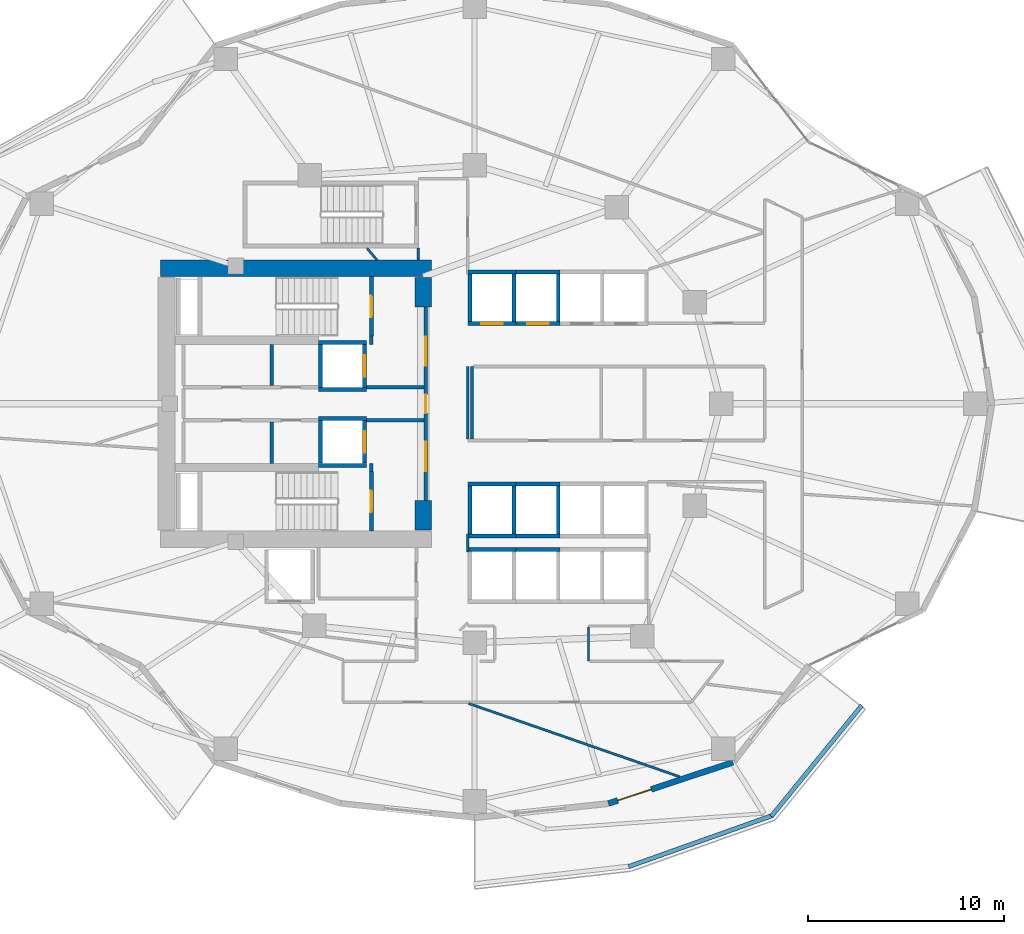
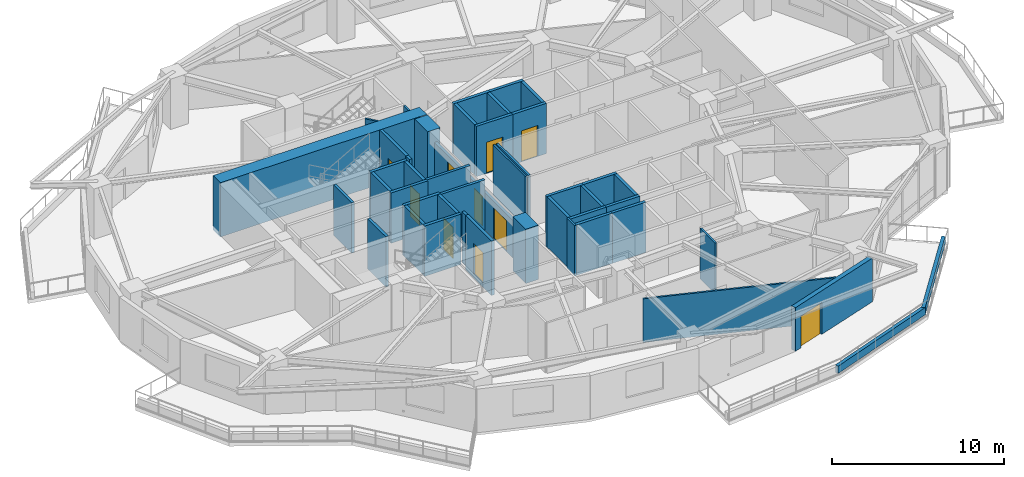
# One storey, part 7 of 13: 46 walls, 10 doors, 10 openings.
"""IFC4 building model written with IfcOpenShell, lengths in metres."""

from ifc_helpers import new_model, si_unit, direction, frame, frame_2d, origin, place, context, subcontext, project, spatial, rectangle, extrude, material, layer, layer_set, type_object, element, fill, save


model = new_model("IFC4")

# Units and contexts
model_context = context("Model", 3, precision=1e-05, world=origin(), true_north=direction((0.0, 1.0)))
body_context = subcontext(model_context, "Body", "Model", "MODEL_VIEW")
ifc_project = project(units=[si_unit("LENGTHUNIT", "METRE"), si_unit("AREAUNIT", "SQUARE_METRE"), si_unit("VOLUMEUNIT", "CUBIC_METRE"), si_unit("PLANEANGLEUNIT", "RADIAN"), si_unit("MASSUNIT", "GRAM", prefix="KILO")], contexts=[model_context])

# Site, building, storey
site_placement = place(None, origin())
site = spatial("IfcSite", under=ifc_project, at=site_placement, CompositionType="ELEMENT")
building_placement = place(site_placement, origin())
building = spatial("IfcBuilding", under=site, at=building_placement, Name="Kolvaren Gate Tower and Convention Centre", CompositionType="ELEMENT")
storey_placement = place(building_placement, frame((0.0, 0.0, 76.550048828125)))
storey = spatial("IfcBuildingStorey", under=building, at=storey_placement, Name="L18", CompositionType="ELEMENT", Elevation=76.550048828125)

# Walls
ifc_material_1 = material(Name="Autoclaved Aerated Masonry Blockwork Class 4 (4.0 MPa)", Category="masonry")
ifc_layer_1 = layer(ifc_material_1, 0.179931640625)
ifc_layer_set_1 = layer_set([ifc_layer_1], Name="Autoclaved Aerated Masonry Blockwork Class 4 (4.0 MPa)")
wall_type_1 = type_object("IfcWallType", Name="ARCH-WL-COMP-180", PredefinedType="SOLIDWALL", material=ifc_layer_set_1)
for number, where, z_axis, x_axis, name in (
    (1, (24.85009765625, 23.5400390625, 0.0), (0.0, 0.0, 1.0), (0.0, 1.0, 0.0), "Interior Partition WL-L18-INT-001"),
    (2, (24.85009765625, 30.0400390625, 0.0), (0.0, 0.0, 1.0), (0.0, 1.0, 0.0), "Interior Partition WL-L18-INT-002"),
):
    element("IfcWall", number, at=place(storey_placement, frame(where, z_axis=z_axis, x_axis=x_axis)), inside=storey, type_object=wall_type_1, Name=name, PredefinedType="SOLIDWALL", context=body_context, shape_type="SweptSolid", body=[
        extrude(rectangle(XDim=0.419921875, YDim=0.179931640625, at=frame_2d((0.2099609375, 0.0))), origin(), (0.0, 0.0, 1.0), 3.570068359375),
    ])

# Wall, openings, doors
wall_1_placement = place(storey_placement, frame((27.6201171875, 22.050048828125, 0.0), z_axis=(0.0, 0.0, 1.0), x_axis=(0.0, 1.0, 0.0)))
wall_1 = element("IfcWall", 3, at=wall_1_placement, inside=storey, type_object=wall_type_1, Name="Interior Partition WL-L18-INT-003", PredefinedType="SOLIDWALL", context=body_context, shape_type="SweptSolid", body=[
    extrude(rectangle(XDim=9.89990234375, YDim=0.179931640625, at=frame_2d((4.949951171875, 0.0))), origin(), (0.0, 0.0, 1.0), 2.661865234375),
])
opening_1_placement = place(wall_1_placement, frame((4.47509765625, 0.0, 0.0)))
opening_1 = element("IfcOpeningElement", 4, at=opening_1_placement, cuts=wall_1, Name="Opening DR-01", PredefinedType="OPENING", context=body_context, shape_type="SweptSolid", body=[
    extrude(rectangle(XDim=0.949951171875, YDim=2.10009765625, at=frame_2d((0.47509765625, 1.050048828125))), frame((0.0, 0.099853515625, 0.0), z_axis=(0.0, -1.0, 0.0), x_axis=(1.0, 0.0, 0.0)), (0.0, 0.0, 1.0), 0.199951171875),
])
opening_2_placement = place(wall_1_placement, frame((6.889892578125, 0.0, 0.0)))
opening_2 = element("IfcOpeningElement", 5, at=opening_2_placement, cuts=wall_1, Name="Opening DL-01", PredefinedType="OPENING", context=body_context, shape_type="SweptSolid", body=[
    extrude(rectangle(XDim=1.5, YDim=2.199951171875, at=frame_2d((0.75, 1.10009765625))), frame((0.0, 0.099853515625, 0.0), z_axis=(0.0, -1.0, 0.0), x_axis=(1.0, 0.0, 0.0)), (0.0, 0.0, 1.0), 0.199951171875),
])
opening_3_placement = place(wall_1_placement, frame((1.510009765625, 0.0, 0.0)))
opening_3 = element("IfcOpeningElement", 6, at=opening_3_placement, cuts=wall_1, Name="Opening DL-01", PredefinedType="OPENING", context=body_context, shape_type="SweptSolid", body=[
    extrude(rectangle(XDim=1.5, YDim=2.199951171875, at=frame_2d((0.75, 1.10009765625))), frame((0.0, 0.099853515625, 0.0), z_axis=(0.0, -1.0, 0.0), x_axis=(1.0, 0.0, 0.0)), (0.0, 0.0, 1.0), 0.199951171875),
])
ifc_material_2 = material(Name="Painted Architectural Steelwork ASTM A500 Grade C 345 MPa", Category="steel")
door_type_1 = type_object("IfcDoorType", Name="ARCH-DR-LOBBY-1500", OperationType="DOUBLE_DOOR_SINGLE_SWING", PredefinedType="DOOR", material=ifc_material_2)
door_1_placement = place(opening_2_placement, origin())
door_1 = element("IfcDoor", 7, at=door_1_placement, inside=storey, type_object=door_type_1, Name="North Firefighting Stair and Lift Lobby Door", OperationType="DOUBLE_DOOR_SINGLE_SWING", OverallHeight=2.199951171875, OverallWidth=1.5, PredefinedType="DOOR", context=body_context, shape_type="SweptSolid", body=[
    extrude(rectangle(XDim=1.5, YDim=2.199951171875, at=frame_2d((0.75, 1.10009765625))), frame((0.0, 0.02490234375, 0.0), z_axis=(0.0, -1.0, 0.0), x_axis=(1.0, 0.0, 0.0)), (0.0, 0.0, 1.0), 0.050048828125),
])
fill(opening_2, door_1)
door_2_placement = place(opening_3_placement, origin())
door_2 = element("IfcDoor", 8, at=door_2_placement, inside=storey, type_object=door_type_1, Name="South Firefighting Stair and Lift Lobby Door", OperationType="DOUBLE_DOOR_SINGLE_SWING", OverallHeight=2.199951171875, OverallWidth=1.5, PredefinedType="DOOR", context=body_context, shape_type="SweptSolid", body=[
    extrude(rectangle(XDim=1.5, YDim=2.199951171875, at=frame_2d((0.75, 1.10009765625))), frame((0.0, 0.02490234375, 0.0), z_axis=(0.0, -1.0, 0.0), x_axis=(1.0, 0.0, 0.0)), (0.0, 0.0, 1.0), 0.050048828125),
])
fill(opening_3, door_2)
door_type_2 = type_object("IfcDoorType", Name="ARCH-DR-RISER-950", OperationType="SINGLE_SWING_RIGHT", PredefinedType="DOOR", material=ifc_material_2)
door_3_placement = place(opening_1_placement, origin())
door_3 = element("IfcDoor", 9, at=door_3_placement, inside=storey, type_object=door_type_2, Name="Central MEP Service Corridor Door", OperationType="SINGLE_SWING_RIGHT", OverallHeight=2.10009765625, OverallWidth=0.949951171875, PredefinedType="DOOR", context=body_context, shape_type="SweptSolid", body=[
    extrude(rectangle(XDim=0.949951171875, YDim=2.10009765625, at=frame_2d((0.47509765625, 1.050048828125))), frame((0.0, 0.02490234375, 0.0), z_axis=(0.0, -1.0, 0.0), x_axis=(1.0, 0.0, 0.0)), (0.0, 0.0, 1.0), 0.050048828125),
])
fill(opening_1, door_3)

# Walls
for number, where, z_axis, x_axis, name in (
    (10, (24.60009765625, 27.840087890625, 0.0), (0.0, 0.0, 1.0), (1.0, 0.0, 0.0), "Interior Partition WL-L18-INT-004 (2)"),
    (11, (24.60009765625, 26.159912109375, 0.0), (0.0, 0.0, 1.0), (1.0, 0.0, 0.0), "Interior Partition WL-L18-INT-005 (2)"),
):
    element("IfcWall", number, at=place(storey_placement, frame(where, z_axis=z_axis, x_axis=x_axis)), inside=storey, type_object=wall_type_1, Name=name, PredefinedType="SOLIDWALL", context=body_context, shape_type="SweptSolid", body=[
        extrude(rectangle(XDim=2.927978515625, YDim=0.179931640625, at=frame_2d((1.4638671875, 0.0))), origin(), (0.0, 0.0, 1.0), 3.570068359375),
    ])
for number, where, z_axis, x_axis, name in (
    (12, (19.75, 23.9619140625, 0.0), (0.0, 0.0, 1.0), (0.0, 1.0, 0.0), "Interior Partition WL-L18-INT-007"),
    (13, (19.75, 27.931884765625, 0.0), (0.0, 0.0, 1.0), (0.0, 1.0, 0.0), "Interior Partition WL-L18-INT-008"),
):
    element("IfcWall", number, at=place(storey_placement, frame(where, z_axis=z_axis, x_axis=x_axis)), inside=storey, type_object=wall_type_1, Name=name, PredefinedType="SOLIDWALL", context=body_context, shape_type="SweptSolid", body=[
        extrude(rectangle(XDim=2.106201171875, YDim=0.179931640625, at=frame_2d((1.05322265625, 0.0))), origin(), (0.0, 0.0, 1.0), 3.570068359375),
    ])
ifc_material_3 = material(Name="Fire-Rated Acoustic Gypsum Stud Partition", Category="gypsum")
ifc_layer_2 = layer(ifc_material_3, 0.1201171875)
ifc_layer_set_2 = layer_set([ifc_layer_2], Name="Fire-Rated Acoustic Gypsum Stud Partition")
wall_type_2 = type_object("IfcWallType", Name="ARCH-WL-PART-120", PredefinedType="PARTITIONING", material=ifc_layer_set_2)
wall_2_placement = place(storey_placement, frame((35.949951171875, 13.85009765625, 0.0), z_axis=(0.0, 0.0, 1.0), x_axis=(0.0, 1.0, 0.0)))
element("IfcWall", 14, at=wall_2_placement, inside=storey, type_object=wall_type_2, Name="Interior Partition WL-L18-INT-019", PredefinedType="PARTITIONING", context=body_context, shape_type="SweptSolid", body=[
    extrude(rectangle(XDim=1.73779296875, YDim=0.1201171875, at=frame_2d((0.868896484375, 0.0))), origin(), (0.0, 0.0, 1.0), 3.570068359375),
])
wall_3_placement = place(storey_placement, frame((27.25, 34.35205078125, 0.0), z_axis=(0.0, 0.0, 1.0), x_axis=(0.0, 1.0, 0.0)))
element("IfcWall", 15, at=wall_3_placement, inside=storey, type_object=wall_type_2, Name="Interior Partition WL-L18-INT-026", PredefinedType="PARTITIONING", context=body_context, shape_type="SweptSolid", body=[
    extrude(rectangle(XDim=0.60595703125, YDim=0.1201171875, at=frame_2d((0.302978515625, 0.0))), origin(), (0.0, 0.0, 1.0), 3.570068359375),
])
wall_4_placement = place(storey_placement, frame((29.780029296875, 19.43994140625, 0.0), z_axis=(0.0, 0.0, 1.0), x_axis=(0.0, 1.0, 0.0)))
element("IfcWall", 16, at=wall_4_placement, inside=storey, type_object=wall_type_2, Name="Interior Partition WL-L18-INT-028", PredefinedType="PARTITIONING", context=body_context, shape_type="SweptSolid", body=[
    extrude(rectangle(XDim=0.920166015625, YDim=0.1201171875, at=frame_2d((0.4599609375, 0.0))), origin(), (0.0, 0.0, 1.0), 3.570068359375),
])
wall_5_placement = place(storey_placement, frame((29.780029296875, 25.197021484375, 0.0), z_axis=(0.0, 0.0, 1.0), x_axis=(0.0, 1.0, 0.0)))
element("IfcWall", 17, at=wall_5_placement, inside=storey, type_object=wall_type_2, Name="Interior Partition WL-L18-INT-029", PredefinedType="PARTITIONING", context=body_context, shape_type="SweptSolid", body=[
    extrude(rectangle(XDim=3.722900390625, YDim=0.1201171875, at=frame_2d((1.861328125, 0.0))), origin(), (0.0, 0.0, 1.0), 3.570068359375),
])
wall_6_placement = place(storey_placement, frame((29.818115234375, 11.68798828125, 0.0), z_axis=(0.0, 0.0, 1.0), x_axis=(0.944668147769, -0.328027575961, 0.0)))
element("IfcWall", 18, at=wall_6_placement, inside=storey, type_object=wall_type_2, Name="Interior Partition WL-L18-INT-048", PredefinedType="PARTITIONING", context=body_context, shape_type="SweptSolid", body=[
    extrude(rectangle(XDim=11.42822265625, YDim=0.1201171875, at=frame_2d((5.714111328125, 0.0))), origin(), (0.0, 0.0, 1.0), 3.093017578125),
])
wall_7_placement = place(storey_placement, frame((24.625732421875, 34.9580078125, 0.0), z_axis=(0.0, 0.0, 1.0), x_axis=(0.643032873298, -0.765838575588, 0.0)))
element("IfcWall", 19, at=wall_7_placement, inside=storey, type_object=wall_type_2, Name="Interior Partition WL-L18-INT-053", PredefinedType="PARTITIONING", context=body_context, shape_type="SweptSolid", body=[
    extrude(rectangle(XDim=0.791259765625, YDim=0.1201171875, at=frame_2d((0.3955078125, 0.0))), origin(), (0.0, 0.0, 1.0), 3.570068359375),
])
ifc_material_4 = material(Name="Piedmont Cream Honed Limestone Cladding", Category="masonry")
ifc_layer_3 = layer(ifc_material_4, 0.219970703125)
ifc_layer_set_3 = layer_set([ifc_layer_3], Name="Piedmont Cream Honed Limestone Cladding")
wall_type_3 = type_object("IfcWallType", Name="ARCH-WL-PLANTER-220", PredefinedType="PARAPET", material=ifc_layer_set_3)
wall_8_placement = place(storey_placement, frame((38.001220703125, 3.348876953125, 0.0), z_axis=(0.0, 0.0, 1.0), x_axis=(0.942203722205, 0.335040513764, 0.0)))
element("IfcWall", 20, at=wall_8_placement, inside=storey, type_object=wall_type_3, Name="Vertical-Forest Balcony Stone Planter Kerb PK-L18-3.2", PredefinedType="PARAPET", context=body_context, shape_type="SweptSolid", body=[
    extrude(rectangle(XDim=7.80712890625, YDim=0.219970703125, at=frame_2d((3.903564453125, 0.0))), origin(), (0.0, 0.0, 1.0), 0.52001953125),
])
wall_9_placement = place(storey_placement, frame((45.2919921875, 5.91796875, 0.0), z_axis=(0.0, 0.0, 1.0), x_axis=(0.631819273026, 0.775115737315, 0.0)))
element("IfcWall", 21, at=wall_9_placement, inside=storey, type_object=wall_type_3, Name="Vertical-Forest Balcony Stone Planter Kerb PK-L18-3.3", PredefinedType="PARAPET", context=body_context, shape_type="SweptSolid", body=[
    extrude(rectangle(XDim=7.31591796875, YDim=0.219970703125, at=frame_2d((3.657958984375, 0.0))), origin(), (0.0, 0.0, 1.0), 0.52001953125),
])
ifc_layer_4 = layer(ifc_material_1, 0.199951171875)
ifc_layer_set_4 = layer_set([ifc_layer_4], Name="Autoclaved Aerated Masonry Blockwork Class 4 (4.0 MPa)")
wall_type_4 = type_object("IfcWallType", Name="ARCH-WL-SHAFT-200", PredefinedType="SOLIDWALL", material=ifc_layer_set_4)
for number, where, z_axis, x_axis, name in (
    (22, (22.14990234375, 30.139892578125, 0.0), (0.0, 0.0, 1.0), (1.0, 0.0, 0.0), "Elevator FF-01 L18 Fire Shaft Wall N"),
    (23, (22.14990234375, 27.739990234375, 0.0), (0.0, 0.0, 1.0), (1.0, 0.0, 0.0), "Elevator FF-01 L18 Fire Shaft Wall S"),
):
    element("IfcWall", number, at=place(storey_placement, frame(where, z_axis=z_axis, x_axis=x_axis)), inside=storey, type_object=wall_type_4, Name=name, PredefinedType="SOLIDWALL", context=body_context, shape_type="SweptSolid", body=[
        extrude(rectangle(XDim=2.4501953125, YDim=0.199951171875, at=frame_2d((1.22509765625, 0.0))), origin(), (0.0, 0.0, 1.0), 3.570068359375),
    ])
wall_10_placement = place(storey_placement, frame((22.25, 27.85009765625, 0.0), z_axis=(0.0, 0.0, 1.0), x_axis=(0.0, 1.0, 0.0)))
element("IfcWall", 24, at=wall_10_placement, inside=storey, type_object=wall_type_4, Name="Elevator FF-01 L18 Fire Shaft Wall W", PredefinedType="SOLIDWALL", context=body_context, shape_type="SweptSolid", body=[
    extrude(rectangle(XDim=2.179931640625, YDim=0.199951171875, at=frame_2d((1.08984375, 0.0))), origin(), (0.0, 0.0, 1.0), 3.570068359375),
])

# Wall, opening, door
wall_11_placement = place(storey_placement, frame((24.5, 27.85009765625, 0.0), z_axis=(0.0, 0.0, 1.0), x_axis=(0.0, 1.0, 0.0)))
wall_11 = element("IfcWall", 25, at=wall_11_placement, inside=storey, type_object=wall_type_4, Name="Elevator FF-01 L18 Fire Shaft Wall E", PredefinedType="SOLIDWALL", context=body_context, shape_type="SweptSolid", body=[
    extrude(rectangle(XDim=2.179931640625, YDim=0.199951171875, at=frame_2d((1.08984375, 0.0))), origin(), (0.0, 0.0, 1.0), 3.570068359375),
])
opening_4_placement = place(wall_11_placement, frame((0.5400390625, 0.0, 0.0)))
opening_4 = element("IfcOpeningElement", 26, at=opening_4_placement, cuts=wall_11, Name="Opening LD", PredefinedType="OPENING", context=body_context, shape_type="SweptSolid", body=[
    extrude(rectangle(XDim=1.10009765625, YDim=2.199951171875, at=frame_2d((0.550048828125, 1.10009765625))), frame((0.0, 0.10986328125, 0.0), z_axis=(0.0, -1.0, 0.0), x_axis=(1.0, 0.0, 0.0)), (0.0, 0.0, 1.0), 0.219970703125),
])
ifc_material_5 = material(Name="Brushed Stainless Steel Grade 316L", Category="steel")
door_type_3 = type_object("IfcDoorType", Name="ARCH-DR-LIFT-1100", OperationType="SLIDING_TO_LEFT", PredefinedType="DOOR", material=ifc_material_5)
door_4_placement = place(opening_4_placement, origin())
door_4 = element("IfcDoor", 27, at=door_4_placement, inside=storey, type_object=door_type_3, Name="Elevator FF-01 L18 Sliding Landing Door", OperationType="SLIDING_TO_LEFT", OverallHeight=2.199951171875, OverallWidth=1.10009765625, PredefinedType="DOOR", context=body_context, shape_type="SweptSolid", body=[
    extrude(rectangle(XDim=1.10009765625, YDim=2.199951171875, at=frame_2d((0.550048828125, 1.10009765625))), frame((0.0, 0.02490234375, 0.0), z_axis=(0.0, -1.0, 0.0), x_axis=(1.0, 0.0, 0.0)), (0.0, 0.0, 1.0), 0.050048828125),
])
fill(opening_4, door_4)

# Walls
for number, where, z_axis, x_axis, name in (
    (28, (22.14990234375, 26.260009765625, 0.0), (0.0, 0.0, 1.0), (1.0, 0.0, 0.0), "Elevator FF-02 L18 Fire Shaft Wall N"),
    (29, (22.14990234375, 23.860107421875, 0.0), (0.0, 0.0, 1.0), (1.0, 0.0, 0.0), "Elevator FF-02 L18 Fire Shaft Wall S"),
):
    element("IfcWall", number, at=place(storey_placement, frame(where, z_axis=z_axis, x_axis=x_axis)), inside=storey, type_object=wall_type_4, Name=name, PredefinedType="SOLIDWALL", context=body_context, shape_type="SweptSolid", body=[
        extrude(rectangle(XDim=2.4501953125, YDim=0.199951171875, at=frame_2d((1.22509765625, 0.0))), origin(), (0.0, 0.0, 1.0), 3.570068359375),
    ])
wall_12_placement = place(storey_placement, frame((22.25, 23.969970703125, 0.0), z_axis=(0.0, 0.0, 1.0), x_axis=(0.0, 1.0, 0.0)))
element("IfcWall", 30, at=wall_12_placement, inside=storey, type_object=wall_type_4, Name="Elevator FF-02 L18 Fire Shaft Wall W", PredefinedType="SOLIDWALL", context=body_context, shape_type="SweptSolid", body=[
    extrude(rectangle(XDim=2.179931640625, YDim=0.199951171875, at=frame_2d((1.08984375, 0.0))), origin(), (0.0, 0.0, 1.0), 3.570068359375),
])

# Wall, opening, door
wall_13_placement = place(storey_placement, frame((24.5, 23.969970703125, 0.0), z_axis=(0.0, 0.0, 1.0), x_axis=(0.0, 1.0, 0.0)))
wall_13 = element("IfcWall", 31, at=wall_13_placement, inside=storey, type_object=wall_type_4, Name="Elevator FF-02 L18 Fire Shaft Wall E", PredefinedType="SOLIDWALL", context=body_context, shape_type="SweptSolid", body=[
    extrude(rectangle(XDim=2.179931640625, YDim=0.199951171875, at=frame_2d((1.08984375, 0.0))), origin(), (0.0, 0.0, 1.0), 3.570068359375),
])
opening_5_placement = place(wall_13_placement, frame((0.5400390625, 0.0, 0.0)))
opening_5 = element("IfcOpeningElement", 32, at=opening_5_placement, cuts=wall_13, Name="Opening LD", PredefinedType="OPENING", context=body_context, shape_type="SweptSolid", body=[
    extrude(rectangle(XDim=1.10009765625, YDim=2.199951171875, at=frame_2d((0.550048828125, 1.10009765625))), frame((0.0, 0.10986328125, 0.0), z_axis=(0.0, -1.0, 0.0), x_axis=(1.0, 0.0, 0.0)), (0.0, 0.0, 1.0), 0.219970703125),
])
door_5_placement = place(opening_5_placement, origin())
door_5 = element("IfcDoor", 33, at=door_5_placement, inside=storey, type_object=door_type_3, Name="Elevator FF-02 L18 Sliding Landing Door", OperationType="SLIDING_TO_LEFT", OverallHeight=2.199951171875, OverallWidth=1.10009765625, PredefinedType="DOOR", context=body_context, shape_type="SweptSolid", body=[
    extrude(rectangle(XDim=1.10009765625, YDim=2.199951171875, at=frame_2d((0.550048828125, 1.10009765625))), frame((0.0, 0.02490234375, 0.0), z_axis=(0.0, -1.0, 0.0), x_axis=(1.0, 0.0, 0.0)), (0.0, 0.0, 1.0), 0.050048828125),
])
fill(opening_5, door_5)

# Wall
wall_14_placement = place(storey_placement, frame((29.800048828125, 33.75, 0.0), z_axis=(0.0, 0.0, 1.0), x_axis=(1.0, 0.0, 0.0)))
element("IfcWall", 34, at=wall_14_placement, inside=storey, type_object=wall_type_4, Name="Elevator PL-01 L18 Fire Shaft Wall N", PredefinedType="SOLIDWALL", context=body_context, shape_type="SweptSolid", body=[
    extrude(rectangle(XDim=2.449951171875, YDim=0.199951171875, at=frame_2d((1.22509765625, 0.0))), origin(), (0.0, 0.0, 1.0), 3.570068359375),
])

# Wall, opening, door
wall_15_placement = place(storey_placement, frame((29.800048828125, 31.10009765625, 0.0), z_axis=(0.0, 0.0, 1.0), x_axis=(1.0, 0.0, 0.0)))
wall_15 = element("IfcWall", 35, at=wall_15_placement, inside=storey, type_object=wall_type_4, Name="Elevator PL-01 L18 Fire Shaft Wall S", PredefinedType="SOLIDWALL", context=body_context, shape_type="SweptSolid", body=[
    extrude(rectangle(XDim=2.449951171875, YDim=0.199951171875, at=frame_2d((1.22509765625, 0.0))), origin(), (0.0, 0.0, 1.0), 3.570068359375),
])
opening_6_placement = place(wall_15_placement, frame((0.675048828125, 0.0, 0.0)))
opening_6 = element("IfcOpeningElement", 36, at=opening_6_placement, cuts=wall_15, Name="Opening LD", PredefinedType="OPENING", context=body_context, shape_type="SweptSolid", body=[
    extrude(rectangle(XDim=1.10009765625, YDim=2.199951171875, at=frame_2d((0.550048828125, 1.10009765625))), frame((0.0, 0.10986328125, 0.0), z_axis=(0.0, -1.0, 0.0), x_axis=(1.0, 0.0, 0.0)), (0.0, 0.0, 1.0), 0.219970703125),
])
door_6_placement = place(opening_6_placement, origin())
door_6 = element("IfcDoor", 37, at=door_6_placement, inside=storey, type_object=door_type_3, Name="Elevator PL-01 L18 Sliding Landing Door", OperationType="SLIDING_TO_LEFT", OverallHeight=2.199951171875, OverallWidth=1.10009765625, PredefinedType="DOOR", context=body_context, shape_type="SweptSolid", body=[
    extrude(rectangle(XDim=1.10009765625, YDim=2.199951171875, at=frame_2d((0.550048828125, 1.10009765625))), frame((0.0, 0.02490234375, 0.0), z_axis=(0.0, -1.0, 0.0), x_axis=(1.0, 0.0, 0.0)), (0.0, 0.0, 1.0), 0.050048828125),
])
fill(opening_6, door_6)

# Walls
for number, where, z_axis, x_axis, name in (
    (38, (29.89990234375, 31.2099609375, 0.0), (0.0, 0.0, 1.0), (0.0, 1.0, 0.0), "Elevator PL-01 L18 Fire Shaft Wall W"),
    (39, (32.14990234375, 31.2099609375, 0.0), (0.0, 0.0, 1.0), (0.0, 1.0, 0.0), "Elevator PL-01 L18 Fire Shaft Wall E"),
):
    element("IfcWall", number, at=place(storey_placement, frame(where, z_axis=z_axis, x_axis=x_axis)), inside=storey, type_object=wall_type_4, Name=name, PredefinedType="SOLIDWALL", context=body_context, shape_type="SweptSolid", body=[
        extrude(rectangle(XDim=2.429931640625, YDim=0.199951171875, at=frame_2d((1.21484375, 0.0))), origin(), (0.0, 0.0, 1.0), 3.570068359375),
    ])
wall_16_placement = place(storey_placement, frame((32.25, 33.75, 0.0), z_axis=(0.0, 0.0, 1.0), x_axis=(1.0, 0.0, 0.0)))
element("IfcWall", 40, at=wall_16_placement, inside=storey, type_object=wall_type_4, Name="Elevator PL-02 L18 Fire Shaft Wall N", PredefinedType="SOLIDWALL", context=body_context, shape_type="SweptSolid", body=[
    extrude(rectangle(XDim=2.25, YDim=0.199951171875, at=frame_2d((1.125, 0.0))), origin(), (0.0, 0.0, 1.0), 3.570068359375),
])

# Wall, opening, door
wall_17_placement = place(storey_placement, frame((32.25, 31.10009765625, 0.0), z_axis=(0.0, 0.0, 1.0), x_axis=(1.0, 0.0, 0.0)))
wall_17 = element("IfcWall", 41, at=wall_17_placement, inside=storey, type_object=wall_type_4, Name="Elevator PL-02 L18 Fire Shaft Wall S", PredefinedType="SOLIDWALL", context=body_context, shape_type="SweptSolid", body=[
    extrude(rectangle(XDim=2.25, YDim=0.199951171875, at=frame_2d((1.125, 0.0))), origin(), (0.0, 0.0, 1.0), 3.570068359375),
])
opening_7_placement = place(wall_17_placement, frame((0.574951171875, 0.0, 0.0)))
opening_7 = element("IfcOpeningElement", 42, at=opening_7_placement, cuts=wall_17, Name="Opening LD", PredefinedType="OPENING", context=body_context, shape_type="SweptSolid", body=[
    extrude(rectangle(XDim=1.10009765625, YDim=2.199951171875, at=frame_2d((0.550048828125, 1.10009765625))), frame((0.0, 0.10986328125, 0.0), z_axis=(0.0, -1.0, 0.0), x_axis=(1.0, 0.0, 0.0)), (0.0, 0.0, 1.0), 0.219970703125),
])
door_7_placement = place(opening_7_placement, origin())
door_7 = element("IfcDoor", 43, at=door_7_placement, inside=storey, type_object=door_type_3, Name="Elevator PL-02 L18 Sliding Landing Door", OperationType="SLIDING_TO_LEFT", OverallHeight=2.199951171875, OverallWidth=1.10009765625, PredefinedType="DOOR", context=body_context, shape_type="SweptSolid", body=[
    extrude(rectangle(XDim=1.10009765625, YDim=2.199951171875, at=frame_2d((0.550048828125, 1.10009765625))), frame((0.0, 0.02490234375, 0.0), z_axis=(0.0, -1.0, 0.0), x_axis=(1.0, 0.0, 0.0)), (0.0, 0.0, 1.0), 0.050048828125),
])
fill(opening_7, door_7)

# Walls
wall_18_placement = place(storey_placement, frame((34.39990234375, 31.2099609375, 0.0), z_axis=(0.0, 0.0, 1.0), x_axis=(0.0, 1.0, 0.0)))
element("IfcWall", 44, at=wall_18_placement, inside=storey, type_object=wall_type_4, Name="Elevator PL-02 L18 Fire Shaft Wall E", PredefinedType="SOLIDWALL", context=body_context, shape_type="SweptSolid", body=[
    extrude(rectangle(XDim=2.429931640625, YDim=0.199951171875, at=frame_2d((1.21484375, 0.0))), origin(), (0.0, 0.0, 1.0), 3.570068359375),
])
wall_19_placement = place(storey_placement, frame((29.800048828125, 19.550048828125, 0.0), z_axis=(0.0, 0.0, 1.0), x_axis=(1.0, 0.0, 0.0)))
element("IfcWall", 45, at=wall_19_placement, inside=storey, type_object=wall_type_4, Name="Elevator PL-05 L18 Fire Shaft Wall N", PredefinedType="SOLIDWALL", context=body_context, shape_type="SweptSolid", body=[
    extrude(rectangle(XDim=2.449951171875, YDim=0.199951171875, at=frame_2d((1.22509765625, 0.0))), origin(), (0.0, 0.0, 1.0), 3.570068359375),
])
wall_20_placement = place(storey_placement, frame((32.25, 19.550048828125, 0.0), z_axis=(0.0, 0.0, 1.0), x_axis=(1.0, 0.0, 0.0)))
element("IfcWall", 46, at=wall_20_placement, inside=storey, type_object=wall_type_4, Name="Elevator PL-06 L18 Fire Shaft Wall N", PredefinedType="SOLIDWALL", context=body_context, shape_type="SweptSolid", body=[
    extrude(rectangle(XDim=2.25, YDim=0.199951171875, at=frame_2d((1.125, 0.0))), origin(), (0.0, 0.0, 1.0), 3.570068359375),
])
for number, where, z_axis, x_axis, name in (
    (47, (29.800048828125, 22.89990234375, 0.0), (0.0, 0.0, 1.0), (1.0, 0.0, 0.0), "Elevator PL-09 L18 Fire Shaft Wall N"),
    (48, (29.800048828125, 20.25, 0.0), (0.0, 0.0, 1.0), (1.0, 0.0, 0.0), "Elevator PL-09 L18 Fire Shaft Wall S"),
):
    element("IfcWall", number, at=place(storey_placement, frame(where, z_axis=z_axis, x_axis=x_axis)), inside=storey, type_object=wall_type_4, Name=name, PredefinedType="SOLIDWALL", context=body_context, shape_type="SweptSolid", body=[
        extrude(rectangle(XDim=2.449951171875, YDim=0.199951171875, at=frame_2d((1.22509765625, 0.0))), origin(), (0.0, 0.0, 1.0), 3.570068359375),
    ])
for number, where, z_axis, x_axis, name in (
    (49, (29.89990234375, 20.360107421875, 0.0), (0.0, 0.0, 1.0), (0.0, 1.0, 0.0), "Elevator PL-09 L18 Fire Shaft Wall W"),
    (50, (32.14990234375, 20.360107421875, 0.0), (0.0, 0.0, 1.0), (0.0, 1.0, 0.0), "Elevator PL-09 L18 Fire Shaft Wall E"),
):
    element("IfcWall", number, at=place(storey_placement, frame(where, z_axis=z_axis, x_axis=x_axis)), inside=storey, type_object=wall_type_4, Name=name, PredefinedType="SOLIDWALL", context=body_context, shape_type="SweptSolid", body=[
        extrude(rectangle(XDim=2.429931640625, YDim=0.199951171875, at=frame_2d((1.21484375, 0.0))), origin(), (0.0, 0.0, 1.0), 3.570068359375),
    ])
for number, where, z_axis, x_axis, name in (
    (51, (32.25, 22.89990234375, 0.0), (0.0, 0.0, 1.0), (1.0, 0.0, 0.0), "Elevator PL-10 L18 Fire Shaft Wall N"),
    (52, (32.25, 20.25, 0.0), (0.0, 0.0, 1.0), (1.0, 0.0, 0.0), "Elevator PL-10 L18 Fire Shaft Wall S"),
):
    element("IfcWall", number, at=place(storey_placement, frame(where, z_axis=z_axis, x_axis=x_axis)), inside=storey, type_object=wall_type_4, Name=name, PredefinedType="SOLIDWALL", context=body_context, shape_type="SweptSolid", body=[
        extrude(rectangle(XDim=2.25, YDim=0.199951171875, at=frame_2d((1.125, 0.0))), origin(), (0.0, 0.0, 1.0), 3.570068359375),
    ])
wall_21_placement = place(storey_placement, frame((34.39990234375, 20.360107421875, 0.0), z_axis=(0.0, 0.0, 1.0), x_axis=(0.0, 1.0, 0.0)))
element("IfcWall", 53, at=wall_21_placement, inside=storey, type_object=wall_type_4, Name="Elevator PL-10 L18 Fire Shaft Wall E", PredefinedType="SOLIDWALL", context=body_context, shape_type="SweptSolid", body=[
    extrude(rectangle(XDim=2.429931640625, YDim=0.199951171875, at=frame_2d((1.21484375, 0.0))), origin(), (0.0, 0.0, 1.0), 3.570068359375),
])

# Wall, opening, door
ifc_layer_5 = layer(ifc_material_4, 0.300048828125)
ifc_layer_set_5 = layer_set([ifc_layer_5], Name="Piedmont Cream Honed Limestone Cladding")
wall_type_5 = type_object("IfcWallType", Name="ARCH-WL-STONE-300", PredefinedType="SOLIDWALL", material=ifc_layer_set_5)
wall_22_placement = place(storey_placement, frame((36.967529296875, 6.57080078125, 0.0), z_axis=(0.0, 0.0, 1.0), x_axis=(0.949245153629, 0.314537181127, 0.0)))
wall_22 = element("IfcWall", 54, at=wall_22_placement, inside=storey, type_object=wall_type_5, Name="Tower L18 Honed Stone Spandrel Wall EW-19", PredefinedType="SOLIDWALL", context=body_context, shape_type="SweptSolid", body=[
    extrude(rectangle(XDim=6.717041015625, YDim=0.300048828125, at=frame_2d((3.3583984375, 0.0))), origin(), (0.0, 0.0, 1.0), 3.093017578125),
])
opening_8_placement = place(wall_22_placement, frame((0.5, 0.0, 0.0)))
opening_8 = element("IfcOpeningElement", 55, at=opening_8_placement, cuts=wall_22, Name="Opening DB-01", PredefinedType="OPENING", context=body_context, shape_type="SweptSolid", body=[
    extrude(rectangle(XDim=1.800048828125, YDim=2.25, at=frame_2d((0.89990234375, 1.125))), frame((0.0, 0.159912109375, 0.0), z_axis=(0.0, -1.0, 0.0), x_axis=(1.0, 0.0, 0.0)), (0.0, 0.0, 1.0), 0.320068359375),
])
ifc_material_6 = material(Name="Anodized Architectural Aluminium Alloy 6063-T6", Category="aluminium")
door_type_4 = type_object("IfcDoorType", Name="ARCH-DR-BALC-1800", OperationType="SLIDING_TO_LEFT", PredefinedType="DOOR", material=ifc_material_6)
door_8_placement = place(opening_8_placement, frame((1.800048828125, 0.0, 0.0), z_axis=(0.0, 0.0, 1.0), x_axis=(-1.0, 0.0, 0.0)))
door_8 = element("IfcDoor", 56, at=door_8_placement, inside=storey, type_object=door_type_4, Name="Planted Sky Terrace Access Door DB-L18-19", OperationType="SLIDING_TO_LEFT", OverallHeight=2.25, OverallWidth=1.800048828125, PredefinedType="DOOR", context=body_context, shape_type="SweptSolid", body=[
    extrude(rectangle(XDim=1.800048828125, YDim=2.25, at=frame_2d((0.89990234375, 1.125))), frame((0.0, 0.02490234375, 0.0), z_axis=(0.0, -1.0, 0.0), x_axis=(1.0, 0.0, 0.0)), (0.0, 0.0, 1.0), 0.050048828125),
])
fill(opening_8, door_8)

# Walls
ifc_material_7 = material(Name="Moisture-Resistant Cement-Board Acoustic Partition", Category="gypsum")
ifc_layer_6 = layer(ifc_material_7, 0.14990234375)
ifc_layer_set_6 = layer_set([ifc_layer_6], Name="Moisture-Resistant Cement-Board Acoustic Partition")
wall_type_6 = type_object("IfcWallType", Name="ARCH-WL-WET-150", PredefinedType="PARTITIONING", material=ifc_layer_set_6)
wall_23_placement = place(storey_placement, frame((30.0, 25.197021484375, 0.0), z_axis=(0.0, 0.0, 1.0), x_axis=(0.0, 1.0, 0.0)))
element("IfcWall", 57, at=wall_23_placement, inside=storey, type_object=wall_type_6, Name="Interior Partition WL-L18-INT-013", PredefinedType="PARTITIONING", context=body_context, shape_type="SweptSolid", body=[
    extrude(rectangle(XDim=3.722900390625, YDim=0.14990234375, at=frame_2d((1.861328125, 0.0))), origin(), (0.0, 0.0, 1.0), 3.570068359375),
])
ifc_material_8 = material(Name="Concrete C70/85", Category="concrete")
ifc_layer_7 = layer(ifc_material_8, 0.85009765625)
ifc_layer_set_7 = layer_set([ifc_layer_7], Name="Concrete C70/85")
wall_type_7 = type_object("IfcWallType", Name="STR-WL-CORE-850", PredefinedType="SHEAR", material=ifc_layer_set_7)
wall_24_placement = place(storey_placement, frame((14.074951171875, 33.925048828125, -0.280029296875), z_axis=(0.0, 0.0, 1.0), x_axis=(1.0, 0.0, 0.0)))
element("IfcWall", 58, at=wall_24_placement, inside=storey, type_object=wall_type_7, Name="Tower L18 Offset Core Shear Wall N", PredefinedType="SHEAR", context=body_context, shape_type="SweptSolid", body=[
    extrude(rectangle(XDim=13.85009765625, YDim=0.85009765625, at=frame_2d((6.925048828125, 0.0))), origin(), (0.0, 0.0, 1.0), 3.85009765625),
])
for number, where, z_axis, x_axis, name in (
    (59, (27.5, 31.949951171875, -0.280029296875), (0.0, 0.0, 1.0), (0.0, 1.0, 0.0), "Tower L18 Offset Core Shear Wall EN"),
    (60, (27.5, 20.550048828125, -0.280029296875), (0.0, 0.0, 1.0), (0.0, 1.0, 0.0), "Tower L18 Offset Core Shear Wall ES"),
):
    element("IfcWall", number, at=place(storey_placement, frame(where, z_axis=z_axis, x_axis=x_axis)), inside=storey, type_object=wall_type_7, Name=name, PredefinedType="SHEAR", context=body_context, shape_type="SweptSolid", body=[
        extrude(rectangle(XDim=1.5, YDim=0.85009765625, at=frame_2d((0.75, 0.0))), origin(), (0.0, 0.0, 1.0), 3.85009765625),
    ])

# Wall, opening, door
ifc_material_9 = material(Name="Concrete C50/60", Category="concrete")
ifc_layer_8 = layer(ifc_material_9, 0.199951171875)
ifc_layer_set_8 = layer_set([ifc_layer_8], Name="Concrete C50/60")
wall_type_8 = type_object("IfcWallType", Name="STR-WL-SHAFT-200", PredefinedType="SHEAR", material=ifc_layer_set_8)
wall_25_placement = place(storey_placement, frame((24.85009765625, 30.4599609375, -0.280029296875), z_axis=(0.0, 0.0, 1.0), x_axis=(0.0, 1.0, 0.0)))
wall_25 = element("IfcWall", 61, at=wall_25_placement, inside=storey, type_object=wall_type_8, Name="Tower North Exit Stair ST-T1 L18 Structural Shear Enclosure Wall NEAR", PredefinedType="SHEAR", context=body_context, shape_type="SweptSolid", body=[
    extrude(rectangle(XDim=3.0380859375, YDim=0.199951171875, at=frame_2d((1.51904296875, 0.0))), origin(), (0.0, 0.0, 1.0), 3.85009765625),
])
opening_9_placement = place(wall_25_placement, frame((0.968994140625, 0.0, 0.280029296875)))
opening_9 = element("IfcOpeningElement", 62, at=opening_9_placement, cuts=wall_25, Name="Opening DS-01", PredefinedType="OPENING", context=body_context, shape_type="SweptSolid", body=[
    extrude(rectangle(XDim=1.10009765625, YDim=2.14990234375, at=frame_2d((0.550048828125, 1.074951171875))), frame((0.0, 0.10986328125, 0.0), z_axis=(0.0, -1.0, 0.0), x_axis=(1.0, 0.0, 0.0)), (0.0, 0.0, 1.0), 0.219970703125),
])
door_type_5 = type_object("IfcDoorType", Name="ARCH-DR-STAIR-1100", OperationType="SINGLE_SWING_LEFT", PredefinedType="DOOR", material=ifc_material_2)
door_9_placement = place(opening_9_placement, origin())
door_9 = element("IfcDoor", 63, at=door_9_placement, inside=storey, type_object=door_type_5, Name="Tower North Exit Stair ST-T1 L18 Fire Exit Stair Door", OperationType="SINGLE_SWING_RIGHT", OverallHeight=2.14990234375, OverallWidth=1.10009765625, PredefinedType="DOOR", context=body_context, shape_type="SweptSolid", body=[
    extrude(rectangle(XDim=1.10009765625, YDim=2.14990234375, at=frame_2d((0.550048828125, 1.074951171875))), frame((0.0, 0.02490234375, 0.0), z_axis=(0.0, -1.0, 0.0), x_axis=(1.0, 0.0, 0.0)), (0.0, 0.0, 1.0), 0.050048828125),
])
fill(opening_9, door_9)

wall_26_placement = place(storey_placement, frame((24.85009765625, 20.501953125, -0.280029296875), z_axis=(0.0, 0.0, 1.0), x_axis=(0.0, 1.0, 0.0)))
wall_26 = element("IfcWall", 64, at=wall_26_placement, inside=storey, type_object=wall_type_8, Name="Tower South Exit Stair ST-T2 L18 Structural Shear Enclosure Wall NEAR", PredefinedType="SHEAR", context=body_context, shape_type="SweptSolid", body=[
    extrude(rectangle(XDim=3.0380859375, YDim=0.199951171875, at=frame_2d((1.51904296875, 0.0))), origin(), (0.0, 0.0, 1.0), 3.85009765625),
])
opening_10_placement = place(wall_26_placement, frame((0.968994140625, 0.0, 0.280029296875)))
opening_10 = element("IfcOpeningElement", 65, at=opening_10_placement, cuts=wall_26, Name="Opening DS-01", PredefinedType="OPENING", context=body_context, shape_type="SweptSolid", body=[
    extrude(rectangle(XDim=1.10009765625, YDim=2.14990234375, at=frame_2d((0.550048828125, 1.074951171875))), frame((0.0, 0.10986328125, 0.0), z_axis=(0.0, -1.0, 0.0), x_axis=(1.0, 0.0, 0.0)), (0.0, 0.0, 1.0), 0.219970703125),
])
door_10_placement = place(opening_10_placement, origin())
door_10 = element("IfcDoor", 66, at=door_10_placement, inside=storey, type_object=door_type_5, Name="Tower South Exit Stair ST-T2 L18 Fire Exit Stair Door", OperationType="SINGLE_SWING_RIGHT", OverallHeight=2.14990234375, OverallWidth=1.10009765625, PredefinedType="DOOR", context=body_context, shape_type="SweptSolid", body=[
    extrude(rectangle(XDim=1.10009765625, YDim=2.14990234375, at=frame_2d((0.550048828125, 1.074951171875))), frame((0.0, 0.02490234375, 0.0), z_axis=(0.0, -1.0, 0.0), x_axis=(1.0, 0.0, 0.0)), (0.0, 0.0, 1.0), 0.050048828125),
])
fill(opening_10, door_10)

save(model, "model.ifc")
